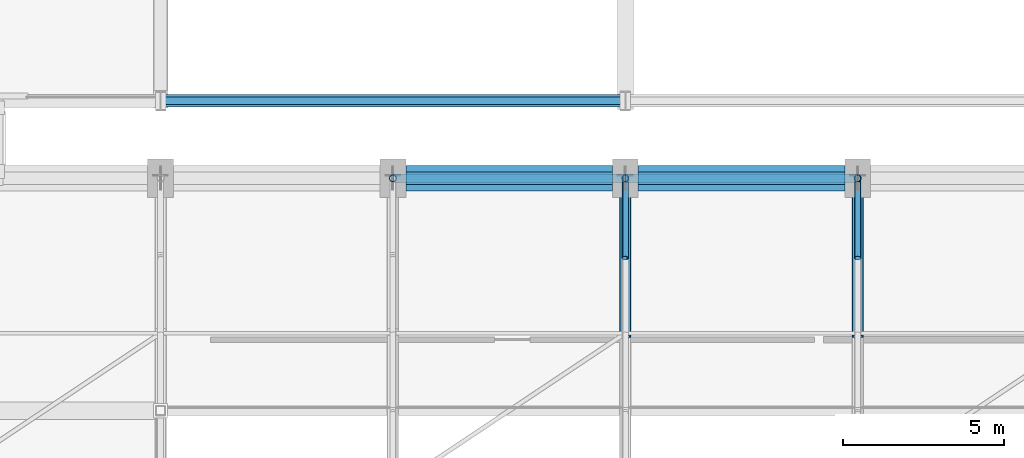
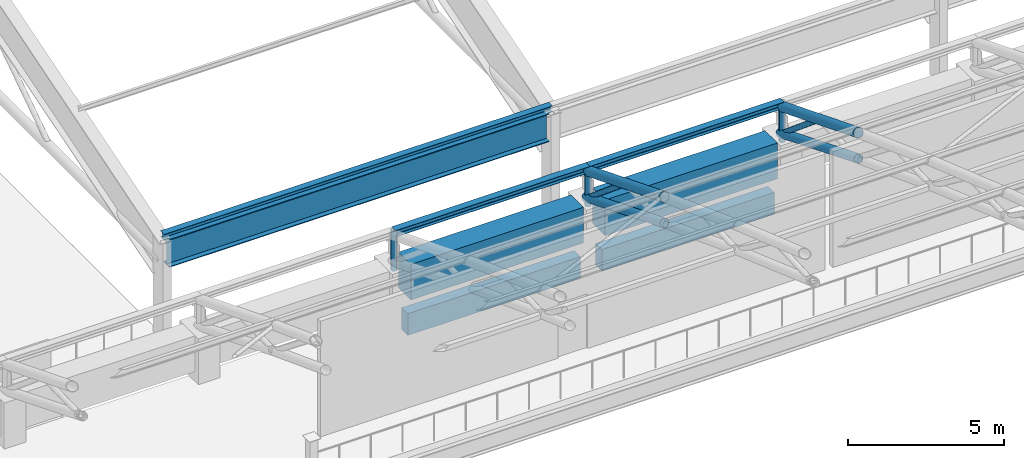
# One storey, part 53 of 116: 12 members, 5 beams.
"""IFC4 building model written with IfcOpenShell, lengths in metres."""

from ifc_helpers import new_model, si_unit, direction, frame, origin, origin_2d, place, context, subcontext, project, spatial, rectangle, hollow_circle, i_section, extrude, material, material_profile, profile_set, type_object, element, save


model = new_model("IFC4")

# Units and contexts
model_context = context("Model", 3, precision=1e-05, world=origin(), true_north=direction((0.0, 1.0)))
body_context = subcontext(model_context, "Body", "Model", "MODEL_VIEW")
ifc_project = project(units=[si_unit("LENGTHUNIT", "METRE"), si_unit("AREAUNIT", "SQUARE_METRE"), si_unit("VOLUMEUNIT", "CUBIC_METRE"), si_unit("PLANEANGLEUNIT", "RADIAN"), si_unit("MASSUNIT", "GRAM", prefix="KILO")], contexts=[model_context])

# Site, building, storey
site_placement = place(None, origin())
site = spatial("IfcSite", under=ifc_project, at=site_placement, CompositionType="ELEMENT")
building_placement = place(site_placement, origin())
building = spatial("IfcBuilding", under=site, at=building_placement, Name="Cendralis Lancet Convention Centre", CompositionType="ELEMENT")
storey_placement = place(building_placement, frame((0.0, 0.0, 15.0)))
storey = spatial("IfcBuildingStorey", under=building, at=storey_placement, Name="L03", CompositionType="ELEMENT", Elevation=15.0)

# Beams
ifc_material_1 = material(Name="Concrete G40 (C40/50)", Category="concrete")
ifc_material_profile_1 = material_profile(ifc_material_1, rectangle(XDim=0.800048828125, YDim=1.39990234375, at=origin_2d()), Name="RCB 800x1400")
ifc_profile_set_1 = profile_set([ifc_material_profile_1], Name="Concrete G40 (C40/50)")
beam_type_1 = type_object("IfcBeamType", Name="STR-BM-BG17", PredefinedType="BEAM", material=ifc_profile_set_1)
for number, where, z_axis, x_axis, name in (
    (1, (161.199951171875, 91.199951171875, 1.10009765625), (1.0, 0.0, 0.0), (0.0, 1.0, 0.0), "L03 Beam BG17 #1571"),
    (2, (168.39990234375, 91.199951171875, 1.10009765625), (1.0, 0.0, 0.0), (0.0, 1.0, 0.0), "L03 Beam BG17 #1572"),
):
    element("IfcBeam", number, at=place(storey_placement, frame(where, z_axis=z_axis, x_axis=x_axis)), inside=storey, type_object=beam_type_1, Name=name, PredefinedType="BEAM", context=body_context, shape_type="SweptSolid", body=[
        extrude(rectangle(XDim=0.800048828125, YDim=1.39990234375, at=origin_2d()), origin(), (0.0, 0.0, 1.0), 6.400146484375),
    ])
ifc_material_2 = material(Name="Steel S355", Category="steel")
ifc_material_profile_2 = material_profile(ifc_material_2, i_section(OverallWidth=0.3798828125, OverallDepth=1.10009765625, WebThickness=0.01611328125, FlangeThickness=0.030029296875, at=origin_2d()), Name="PG 1100x380")
ifc_profile_set_2 = profile_set([ifc_material_profile_2], Name="Steel S355")
beam_type_2 = type_object("IfcBeamType", Name="STR-BM-SG04", PredefinedType="BEAM", material=ifc_profile_set_2)
beam_placement = place(storey_placement, frame((153.75, 93.60009765625, 3.25), z_axis=(1.0, 0.0, 0.0), x_axis=(0.0, 1.0, 0.0)))
element("IfcBeam", 3, at=beam_placement, inside=storey, type_object=beam_type_2, Name="L03 Beam SG04 #1784", PredefinedType="BEAM", context=body_context, shape_type="SweptSolid", body=[
    extrude(i_section(OverallWidth=0.3798828125, OverallDepth=1.10009765625, WebThickness=0.01611328125, FlangeThickness=0.030029296875, at=origin_2d()), origin(), (0.0, 0.0, 1.0), 14.10009765625),
])

# Members
ifc_material_profile_3 = material_profile(ifc_material_2, i_section(OverallWidth=0.260009765625, OverallDepth=0.25, WebThickness=0.007568359375, FlangeThickness=0.012451171875, FilletRadius=0.02392578125, at=origin_2d()), Name="HEA 260")
ifc_profile_set_3 = profile_set([ifc_material_profile_3], Name="Steel S355")
member_type_1 = type_object("IfcMemberType", Name="STR-PR-PR07", PredefinedType="PURLIN", material=ifc_profile_set_3)
for number, where, z_axis, x_axis, name in (
    (4, (160.800048828125, 91.199951171875, 2.97509765625), (1.0, 0.0, 0.0), (0.0, 1.0, 0.0), "Vault Roof Purlin PR07 V2-03-10"),
    (5, (168.0, 91.199951171875, 2.97509765625), (1.0, 0.0, 0.0), (0.0, 1.0, 0.0), "Vault Roof Purlin PR07 V2-04-10"),
):
    element("IfcMember", number, at=place(storey_placement, frame(where, z_axis=z_axis, x_axis=x_axis)), inside=storey, type_object=member_type_1, Name=name, PredefinedType="PURLIN", context=body_context, shape_type="SweptSolid", body=[
        extrude(i_section(OverallWidth=0.260009765625, OverallDepth=0.25, WebThickness=0.007568359375, FlangeThickness=0.012451171875, FilletRadius=0.02392578125, at=origin_2d()), origin(), (0.0, 0.0, 1.0), 7.199951171875),
    ])
ifc_material_profile_4 = material_profile(ifc_material_2, i_section(OverallWidth=0.239990234375, OverallDepth=0.22998046875, WebThickness=0.007568359375, FlangeThickness=0.011962890625, FilletRadius=0.02099609375, at=origin_2d()), Name="HEA 240")
ifc_profile_set_4 = profile_set([ifc_material_profile_4], Name="Steel S355")
member_type_2 = type_object("IfcMemberType", Name="STR-PR-PR08", PredefinedType="PURLIN", material=ifc_profile_set_4)
member_placement = place(storey_placement, frame((153.60009765625, 93.60009765625, 3.89501953125), z_axis=(1.0, 0.0, 0.0), x_axis=(0.0, 1.0, 0.0)))
element("IfcMember", 6, at=member_placement, inside=storey, type_object=member_type_2, Name="Ballroom Roof Purlin PR08 154-93.6", PredefinedType="PURLIN", context=body_context, shape_type="SweptSolid", body=[
    extrude(i_section(OverallWidth=0.239990234375, OverallDepth=0.22998046875, WebThickness=0.007568359375, FlangeThickness=0.011962890625, FilletRadius=0.02099609375, at=origin_2d()), origin(), (0.0, 0.0, 1.0), 14.39990234375),
])

# Beams
ifc_material_profile_5 = material_profile(ifc_material_1, rectangle(XDim=0.39990234375, YDim=0.85009765625, at=origin_2d()), Name="RCB 400x850")
ifc_profile_set_5 = profile_set([ifc_material_profile_5], Name="Concrete G40 (C40/50)")
beam_type_3 = type_object("IfcBeamType", Name="STR-SP-SP02", PredefinedType="SPANDREL", material=ifc_profile_set_5)
for number, where, z_axis, x_axis, name in (
    (7, (161.199951171875, 91.199951171875, -0.68505859375), (1.0, 0.0, 0.0), (0.0, 1.0, 0.0), "L03 Beam SP02 #1516"),
    (8, (168.39990234375, 91.199951171875, -0.68505859375), (1.0, 0.0, 0.0), (0.0, 1.0, 0.0), "L03 Beam SP02 #1517"),
):
    element("IfcBeam", number, at=place(storey_placement, frame(where, z_axis=z_axis, x_axis=x_axis)), inside=storey, type_object=beam_type_3, Name=name, PredefinedType="SPANDREL", context=body_context, shape_type="SweptSolid", body=[
        extrude(rectangle(XDim=0.39990234375, YDim=0.85009765625, at=origin_2d()), origin(), (0.0, 0.0, 1.0), 6.400146484375),
    ])

# Members
ifc_material_profile_6 = material_profile(ifc_material_2, hollow_circle(Radius=0.161865234375, WallThickness=0.01416015625, at=origin_2d()), Name="CHS 323.9x14.2")
ifc_profile_set_6 = profile_set([ifc_material_profile_6], Name="Steel S355")
member_type_3 = type_object("IfcMemberType", Name="STR-TR-BC02-INT", PredefinedType="CHORD", material=ifc_profile_set_6)
for number, where, z_axis, x_axis, name in (
    (9, (168.0, 86.288818359375, 3.782958984375), (0.0, 0.927271931531, -0.374388521451), (-1.0, 0.0, 0.0), "ROOF TRUSS AT-V2-05 Bottom Chord 09"),
    (10, (175.199951171875, 86.288818359375, 3.782958984375), (0.0, 0.927271931531, -0.374388521451), (-1.0, 0.0, 0.0), "ROOF TRUSS AT-V2-06 Bottom Chord 09"),
):
    element("IfcMember", number, at=place(storey_placement, frame(where, z_axis=z_axis, x_axis=x_axis)), inside=storey, type_object=member_type_3, Name=name, PredefinedType="CHORD", context=body_context, shape_type="SweptSolid", body=[
        extrude(hollow_circle(Radius=0.161865234375, WallThickness=0.01416015625, at=origin_2d()), origin(), (0.0, 0.0, 1.0), 5.41650390625),
    ])
ifc_material_profile_7 = material_profile(ifc_material_2, hollow_circle(Radius=0.177734375, WallThickness=0.01611328125, at=origin_2d()), Name="CHS 355.6x16.0")
ifc_profile_set_7 = profile_set([ifc_material_profile_7], Name="Steel S355")
member_type_4 = type_object("IfcMemberType", Name="STR-TR-TC02-INT", PredefinedType="CHORD", material=ifc_profile_set_7)
for number, where, z_axis, x_axis, name in (
    (11, (168.0, 86.28857421875, 4.798828125), (0.0, 0.929495136476, -0.368834368338), (-1.0, 0.0, 0.0), "ROOF TRUSS AT-V2-05 Top Chord 09"),
    (12, (175.199951171875, 86.28857421875, 4.798828125), (0.0, 0.929495136476, -0.368834368338), (-1.0, 0.0, 0.0), "ROOF TRUSS AT-V2-06 Top Chord 09"),
):
    element("IfcMember", number, at=place(storey_placement, frame(where, z_axis=z_axis, x_axis=x_axis)), inside=storey, type_object=member_type_4, Name=name, PredefinedType="CHORD", context=body_context, shape_type="SweptSolid", body=[
        extrude(hollow_circle(Radius=0.177734375, WallThickness=0.01611328125, at=origin_2d()), origin(), (0.0, 0.0, 1.0), 5.404052734375),
    ])
ifc_material_profile_8 = material_profile(ifc_material_2, hollow_circle(Radius=0.096923828125, WallThickness=0.008056640625, at=origin_2d()), Name="CHS 193.7x8.0")
ifc_profile_set_8 = profile_set([ifc_material_profile_8], Name="Steel S355")
member_type_5 = type_object("IfcMemberType", Name="STR-TR-WD02-INT", PredefinedType="BRACE", material=ifc_profile_set_8)
for number, where, z_axis, x_axis, name in (
    (13, (168.0, 88.72314453125, 3.866455078125), (0.0, 0.767848091912, -0.640631959667), (-1.0, 0.0, 0.0), "ROOF TRUSS AT-V2-05 Warren Web 09-1"),
    (14, (175.199951171875, 88.72314453125, 3.866455078125), (0.0, 0.767848091912, -0.640631959667), (-1.0, 0.0, 0.0), "ROOF TRUSS AT-V2-06 Warren Web 09-1"),
):
    element("IfcMember", number, at=place(storey_placement, frame(where, z_axis=z_axis, x_axis=x_axis)), inside=storey, type_object=member_type_5, Name=name, PredefinedType="BRACE", context=body_context, shape_type="SweptSolid", body=[
        extrude(hollow_circle(Radius=0.096923828125, WallThickness=0.008056640625, at=origin_2d()), origin(), (0.0, 0.0, 1.0), 3.32568359375),
    ])
ifc_material_profile_9 = material_profile(ifc_material_2, hollow_circle(Radius=0.109619140625, WallThickness=0.010009765625, at=origin_2d()), Name="CHS 219.1x10.0")
ifc_profile_set_9 = profile_set([ifc_material_profile_9], Name="Steel S355")
member_type_6 = type_object("IfcMemberType", Name="STR-TR-WV02-INT", PredefinedType="POST", material=ifc_profile_set_9)
for number, where, z_axis, x_axis, name in (
    (15, (160.800048828125, 91.199951171875, 1.5), (0.0, 0.0, 1.0), (1.0, 0.0, 0.0), "ROOF TRUSS AT-V2-04 Springing Post N10"),
    (16, (168.0, 91.199951171875, 1.5), (0.0, 0.0, 1.0), (1.0, 0.0, 0.0), "ROOF TRUSS AT-V2-05 Springing Post N10"),
    (17, (175.199951171875, 91.199951171875, 1.5), (0.0, 0.0, 1.0), (1.0, 0.0, 0.0), "ROOF TRUSS AT-V2-06 Springing Post N10"),
):
    element("IfcMember", number, at=place(storey_placement, frame(where, z_axis=z_axis, x_axis=x_axis)), inside=storey, type_object=member_type_6, Name=name, PredefinedType="POST", context=body_context, shape_type="SweptSolid", body=[
        extrude(hollow_circle(Radius=0.109619140625, WallThickness=0.010009765625, at=origin_2d()), origin(), (0.0, 0.0, 1.0), 1.570068359375),
    ])

save(model, "model.ifc")
